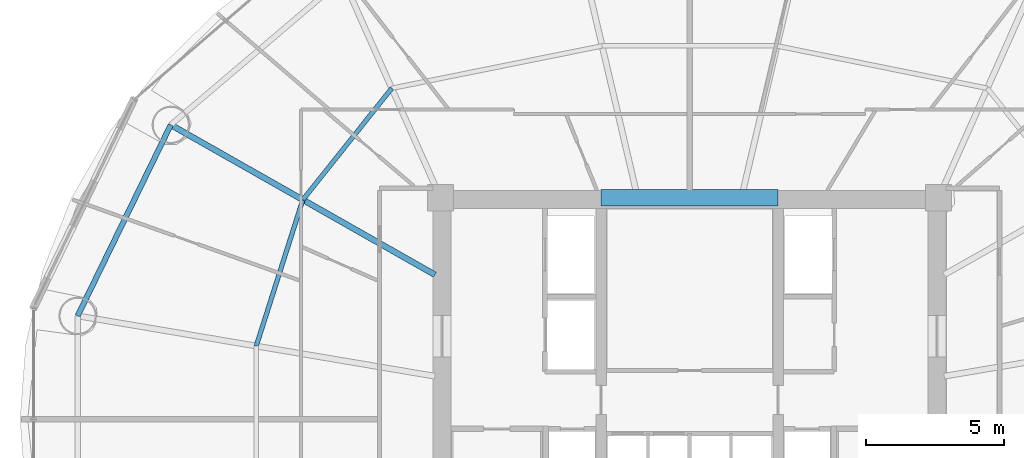
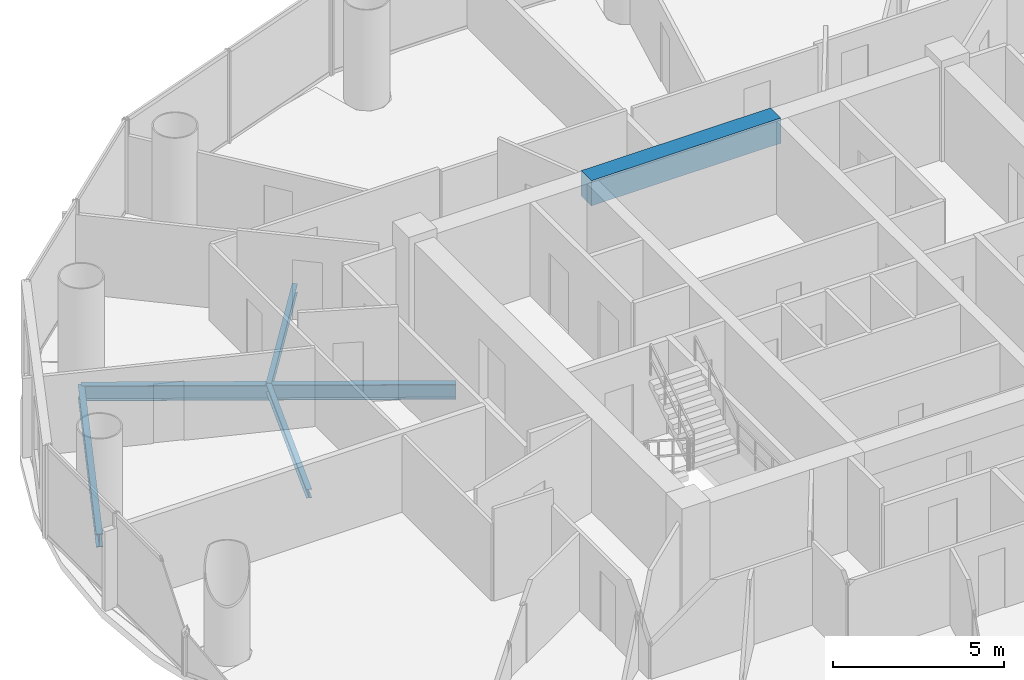
# One storey, part 8 of 27: 5 beams.
"""IFC4 building model written with IfcOpenShell, lengths in metres."""

from ifc_helpers import new_model, si_unit, direction, frame, origin, origin_2d, place, context, subcontext, project, spatial, rectangle, i_section, extrude, material, material_profile, profile_set, type_object, element, save


model = new_model("IFC4")

# Units and contexts
model_context = context("Model", 3, precision=1e-05, world=origin(), true_north=direction((-0.2419218956, 0.970295726276)))
body_context = subcontext(model_context, "Body", "Model", "MODEL_VIEW")
ifc_project = project(units=[si_unit("LENGTHUNIT", "METRE"), si_unit("AREAUNIT", "SQUARE_METRE"), si_unit("VOLUMEUNIT", "CUBIC_METRE"), si_unit("PLANEANGLEUNIT", "RADIAN"), si_unit("MASSUNIT", "GRAM", prefix="KILO")], contexts=[model_context])

# Site, building, storey
site_placement = place(None, origin())
site = spatial("IfcSite", under=ifc_project, at=site_placement, CompositionType="ELEMENT")
building_placement = place(site_placement, origin())
building = spatial("IfcBuilding", under=site, at=building_placement, Name="Cobrevalo Terracotta Tower", CompositionType="ELEMENT")
storey_placement = place(building_placement, frame((0.0, 0.0, 160.60009765625)))
storey = spatial("IfcBuildingStorey", under=building, at=storey_placement, Name="L42", CompositionType="ELEMENT", Elevation=160.60009765625)

# Beams
ifc_material_1 = material(Name="Concrete C60", Category="concrete")
ifc_material_profile_1 = material_profile(ifc_material_1, rectangle(XDim=0.60009765625, YDim=0.89990234375, at=origin_2d()), Name="RC CB 600x900")
ifc_profile_set_1 = profile_set([ifc_material_profile_1], Name="Concrete C60")
beam_type_1 = type_object("IfcBeamType", Name="Structural Beam RC CB 600x900 (Concrete C60)", PredefinedType="BEAM", material=ifc_profile_set_1)
beam_1_placement = place(storey_placement, frame((34.800048828125, 34.800048828125, 2.8798828125), z_axis=(1.0, 0.0, 0.0), x_axis=(0.0, 1.0, 0.0)))
element("IfcBeam", 1, at=beam_1_placement, inside=storey, type_object=beam_type_1, Name="L42 core coupling beam 2", PredefinedType="BEAM", context=body_context, shape_type="SweptSolid", body=[
    extrude(rectangle(XDim=0.60009765625, YDim=0.89990234375, at=origin_2d()), origin(), (0.0, 0.0, 1.0), 6.39990234375),
])
ifc_material_2 = material(Name="Steel S355", Category="steel")
ifc_material_profile_2 = material_profile(ifc_material_2, i_section(OverallWidth=0.2109375, OverallDepth=0.5390625, WebThickness=0.01171875, FlangeThickness=0.018798828125, at=origin_2d()), Name="W 530x109")
ifc_profile_set_2 = profile_set([ifc_material_profile_2], Name="Steel S355")
beam_type_2 = type_object("IfcBeamType", Name="Structural Beam W 530x109 (Steel S355)", PredefinedType="BEAM", material=ifc_profile_set_2)
beam_2_placement = place(storey_placement, frame((19.250244140625, 37.439208984375, -0.53955078125), z_axis=(0.869734177783, -0.493520475762, 0.0), x_axis=(0.493520475762, 0.869734177783, 0.0)))
element("IfcBeam", 2, at=beam_2_placement, inside=storey, type_object=beam_type_2, Name="L42 radial floor girder 07", PredefinedType="BEAM", context=body_context, shape_type="SweptSolid", body=[
    extrude(i_section(OverallWidth=0.2109375, OverallDepth=0.5390625, WebThickness=0.01171875, FlangeThickness=0.018798828125, at=origin_2d()), origin(), (0.0, 0.0, 1.0), 10.974365234375),
])
ifc_material_profile_3 = material_profile(ifc_material_2, i_section(OverallWidth=0.1650390625, OverallDepth=0.31005859375, WebThickness=0.005859375, FlangeThickness=0.009765625, at=origin_2d()), Name="W 310x38.7")
ifc_profile_set_3 = profile_set([ifc_material_profile_3], Name="Steel S355")
beam_type_3 = type_object("IfcBeamType", Name="Structural Joist W 310x38.7 (Steel S355)", PredefinedType="JOIST", material=ifc_profile_set_3)
beam_3_placement = place(storey_placement, frame((27.23583984375, 38.76123046875, -0.425048828125), z_axis=(-0.62340602772, -0.781898282773, 0.0), x_axis=(0.781898282773, -0.62340602772, 0.0)))
element("IfcBeam", 3, at=beam_3_placement, inside=storey, type_object=beam_type_3, Name="L42 circumferential secondary floor joist 06", PredefinedType="JOIST", context=body_context, shape_type="SweptSolid", body=[
    extrude(i_section(OverallWidth=0.1650390625, OverallDepth=0.31005859375, WebThickness=0.005859375, FlangeThickness=0.009765625, at=origin_2d()), origin(), (0.0, 0.0, 1.0), 5.154052734375),
])
beam_4_placement = place(storey_placement, frame((24.022705078125, 34.731201171875, -0.425048828125), z_axis=(-0.303497928386, -0.952832098255, 0.0), x_axis=(0.952832098255, -0.303497928386, 0.0)))
element("IfcBeam", 4, at=beam_4_placement, inside=storey, type_object=beam_type_3, Name="L42 circumferential secondary floor joist 07", PredefinedType="JOIST", context=body_context, shape_type="SweptSolid", body=[
    extrude(i_section(OverallWidth=0.1650390625, OverallDepth=0.31005859375, WebThickness=0.005859375, FlangeThickness=0.009765625, at=origin_2d()), origin(), (0.0, 0.0, 1.0), 5.54736328125),
])
ifc_material_profile_4 = material_profile(ifc_material_2, i_section(OverallWidth=0.194091796875, OverallDepth=0.468994140625, WebThickness=0.011474609375, FlangeThickness=0.0205078125, at=origin_2d()), Name="W 460x106")
ifc_profile_set_4 = profile_set([ifc_material_profile_4], Name="Steel S355")
beam_type_4 = type_object("IfcBeamType", Name="Structural Spandrel W 460x106 (Steel S355)", PredefinedType="SPANDREL", material=ifc_profile_set_4)
beam_5_placement = place(storey_placement, frame((19.250244140625, 37.439208984375, -0.504638671875), z_axis=(-0.438367894028, -0.89879563277, 0.0), x_axis=(0.89879563277, -0.438367894028, 0.0)))
element("IfcBeam", 5, at=beam_5_placement, inside=storey, type_object=beam_type_4, Name="L42 perimeter ring spandrel 07", PredefinedType="SPANDREL", context=body_context, shape_type="SweptSolid", body=[
    extrude(i_section(OverallWidth=0.194091796875, OverallDepth=0.468994140625, WebThickness=0.011474609375, FlangeThickness=0.0205078125, at=origin_2d()), origin(), (0.0, 0.0, 1.0), 7.6806640625),
])

save(model, "model.ifc")
